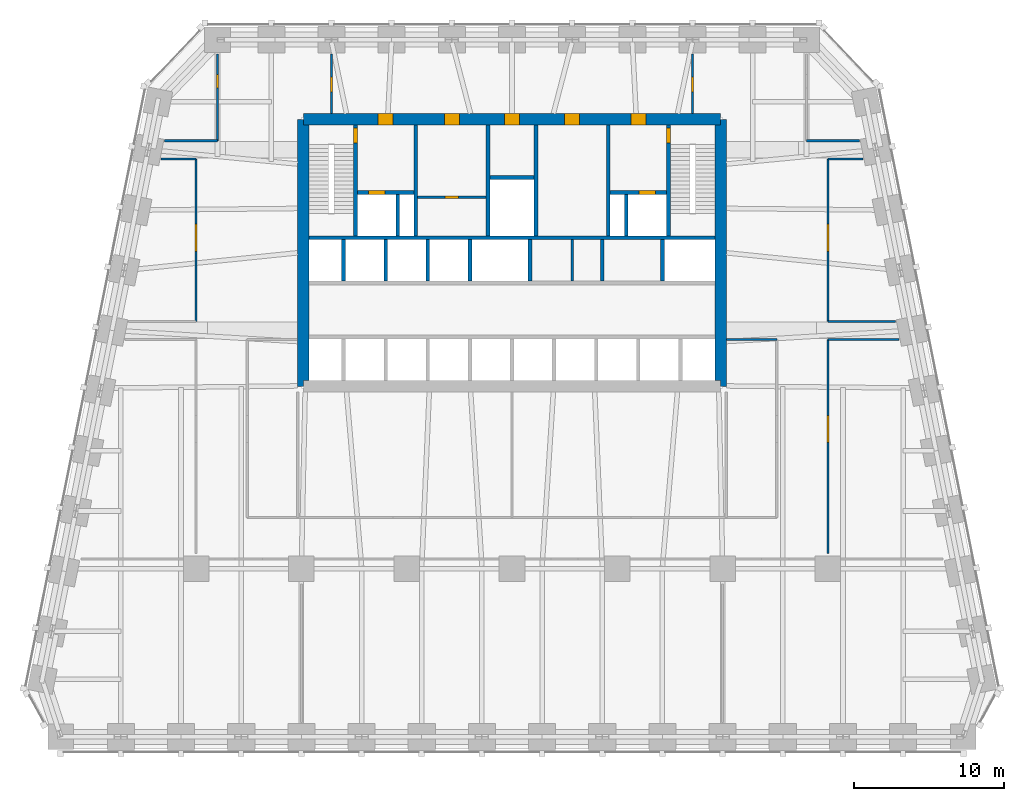
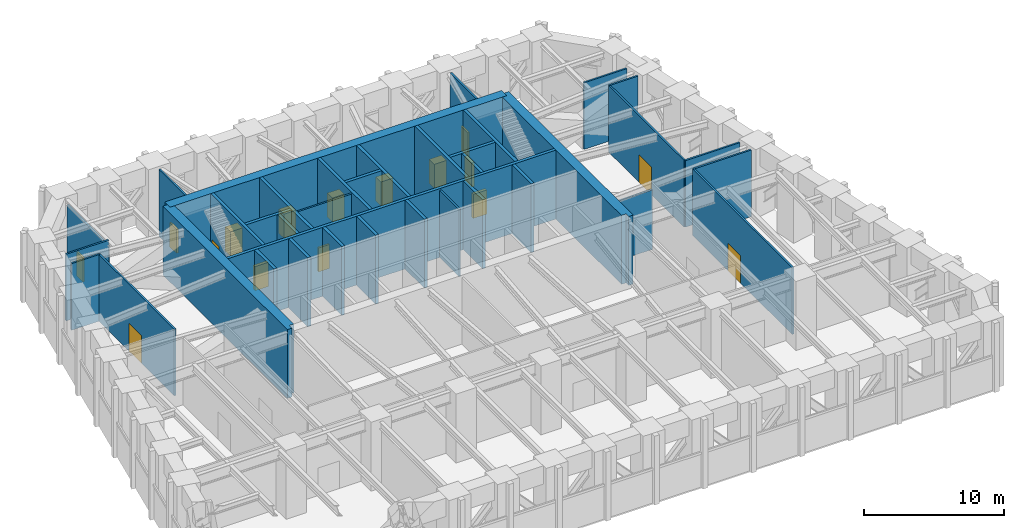
# One storey, part 7 of 9: 37 walls, 16 doors, 16 openings.
"""IFC4 building model written with IfcOpenShell, lengths in metres."""

from ifc_helpers import new_model, si_unit, direction, frame, frame_2d, origin, place, context, subcontext, project, spatial, polyline, rectangle, outline, extrude, material, layer, layer_set, type_object, element, fill, save


model = new_model("IFC4")

# Units and contexts
model_context = context("Model", 3, precision=1e-05, world=origin(), true_north=direction((0.0, 1.0)))
body_context = subcontext(model_context, "Body", "Model", "MODEL_VIEW")
ifc_project = project(units=[si_unit("LENGTHUNIT", "METRE"), si_unit("AREAUNIT", "SQUARE_METRE"), si_unit("VOLUMEUNIT", "CUBIC_METRE"), si_unit("PLANEANGLEUNIT", "RADIAN"), si_unit("MASSUNIT", "GRAM", prefix="KILO")], contexts=[model_context])

# Site, building, storey
site_placement = place(None, origin())
site = spatial("IfcSite", under=ifc_project, at=site_placement, CompositionType="ELEMENT")
building_placement = place(site_placement, origin())
building = spatial("IfcBuilding", under=site, at=building_placement, Name="Isbrekke Arena Tower", CompositionType="ELEMENT")
storey_placement = place(building_placement, frame((0.0, 0.0, 167.0)))
storey = spatial("IfcBuildingStorey", under=building, at=storey_placement, Name="L38", CompositionType="ELEMENT", Elevation=167.0)

# Wall
ifc_material_1 = material(Name="Concrete B55 (C55/67)", Category="concrete")
ifc_layer_1 = layer(ifc_material_1, 0.75)
ifc_layer_set_1 = layer_set([ifc_layer_1], Name="CW3 CORE WALL 750")
wall_type_1 = type_object("IfcWallType", Name="CW3 CORE WALL 750", PredefinedType="SHEAR", material=ifc_layer_set_1)
wall_1_placement = place(storey_placement, frame((13.875, 6.125, 0.0), z_axis=(0.0, 0.0, 1.0), x_axis=(0.0, 1.0, 0.0)))
element("IfcWall", 1, at=wall_1_placement, inside=storey, type_object=wall_type_1, Name="Core wall E L38", PredefinedType="SHEAR", context=body_context, shape_type="SweptSolid", body=[
    extrude(outline(polyline([(0.0, -0.375), (17.75, -0.375), (17.75, 0.0), (17.375, 0.0), (17.375, 0.375), (0.375, 0.375), (0.375, 0.0), (0.0, 0.0), (0.0, -0.375)])), origin(), (0.0, 0.0, 1.0), 6.0),
])

# Wall, openings, doors
wall_2_placement = place(storey_placement, frame((13.875, 23.875, 0.0), z_axis=(0.0, 0.0, 1.0), x_axis=(-1.0, 0.0, 0.0)))
wall_2 = element("IfcWall", 2, at=wall_2_placement, inside=storey, type_object=wall_type_1, Name="Core wall N L38", PredefinedType="SHEAR", context=body_context, shape_type="SweptSolid", body=[
    extrude(rectangle(XDim=27.75, YDim=0.75, at=frame_2d((13.875, 0.0))), origin(), (0.0, 0.0, 1.0), 6.0),
])
opening_1_placement = place(wall_2_placement, frame((21.77490234375, 0.0, 0.0)))
opening_1 = element("IfcOpeningElement", 3, at=opening_1_placement, cuts=wall_2, Name="Opening D3", PredefinedType="OPENING", context=body_context, shape_type="SweptSolid", body=[
    extrude(rectangle(XDim=1.0, YDim=2.10009765625, at=frame_2d((0.5, 1.050048828125))), frame((0.0, 0.389892578125, 0.0), z_axis=(0.0, -1.0, 0.0), x_axis=(1.0, 0.0, 0.0)), (0.0, 0.0, 1.0), 0.77978515625),
])
opening_2_placement = place(wall_2_placement, frame((4.97509765625, 0.0, 0.0)))
opening_2 = element("IfcOpeningElement", 4, at=opening_2_placement, cuts=wall_2, Name="Opening D3", PredefinedType="OPENING", context=body_context, shape_type="SweptSolid", body=[
    extrude(rectangle(XDim=1.0, YDim=2.10009765625, at=frame_2d((0.5, 1.050048828125))), frame((0.0, 0.389892578125, 0.0), z_axis=(0.0, -1.0, 0.0), x_axis=(1.0, 0.0, 0.0)), (0.0, 0.0, 1.0), 0.77978515625),
])
opening_3_placement = place(wall_2_placement, frame((17.375, 0.0, 0.0)))
opening_3 = element("IfcOpeningElement", 5, at=opening_3_placement, cuts=wall_2, Name="Opening D4", PredefinedType="OPENING", context=body_context, shape_type="SweptSolid", body=[
    extrude(rectangle(XDim=1.0, YDim=2.10009765625, at=frame_2d((0.5, 1.050048828125))), frame((0.0, 0.389892578125, 0.0), z_axis=(0.0, -1.0, 0.0), x_axis=(1.0, 0.0, 0.0)), (0.0, 0.0, 1.0), 0.77978515625),
])
opening_4_placement = place(wall_2_placement, frame((13.375, 0.0, 0.0)))
opening_4 = element("IfcOpeningElement", 6, at=opening_4_placement, cuts=wall_2, Name="Opening D4", PredefinedType="OPENING", context=body_context, shape_type="SweptSolid", body=[
    extrude(rectangle(XDim=1.0, YDim=2.10009765625, at=frame_2d((0.5, 1.050048828125))), frame((0.0, 0.389892578125, 0.0), z_axis=(0.0, -1.0, 0.0), x_axis=(1.0, 0.0, 0.0)), (0.0, 0.0, 1.0), 0.77978515625),
])
opening_5_placement = place(wall_2_placement, frame((9.375, 0.0, 0.0)))
opening_5 = element("IfcOpeningElement", 7, at=opening_5_placement, cuts=wall_2, Name="Opening D4", PredefinedType="OPENING", context=body_context, shape_type="SweptSolid", body=[
    extrude(rectangle(XDim=1.0, YDim=2.10009765625, at=frame_2d((0.5, 1.050048828125))), frame((0.0, 0.389892578125, 0.0), z_axis=(0.0, -1.0, 0.0), x_axis=(1.0, 0.0, 0.0)), (0.0, 0.0, 1.0), 0.77978515625),
])
ifc_material_2 = material(Name="Steel fire door", Category="steel")
door_type_1 = type_object("IfcDoorType", Name="D3 FIRE LOBBY DOOR 1000 x 2100", OperationType="SINGLE_SWING_RIGHT", PredefinedType="DOOR", material=ifc_material_2)
door_1_placement = place(opening_1_placement, origin())
door_1 = element("IfcDoor", 8, at=door_1_placement, inside=storey, type_object=door_type_1, Name="D3 fire-fighting lobby door L38", OperationType="SINGLE_SWING_RIGHT", OverallHeight=2.10009765625, OverallWidth=1.0, PredefinedType="DOOR", context=body_context, shape_type="SweptSolid", body=[
    extrude(rectangle(XDim=1.0, YDim=2.10009765625, at=frame_2d((0.5, 1.050048828125))), frame((0.0, 0.374755859375, 0.0), z_axis=(0.0, -1.0, 0.0), x_axis=(1.0, 0.0, 0.0)), (0.0, 0.0, 1.0), 0.74951171875),
])
fill(opening_1, door_1)
door_2_placement = place(opening_2_placement, origin())
door_2 = element("IfcDoor", 9, at=door_2_placement, inside=storey, type_object=door_type_1, Name="D3 fire-fighting lobby door L38", OperationType="SINGLE_SWING_RIGHT", OverallHeight=2.10009765625, OverallWidth=1.0, PredefinedType="DOOR", context=body_context, shape_type="SweptSolid", body=[
    extrude(rectangle(XDim=1.0, YDim=2.10009765625, at=frame_2d((0.5, 1.050048828125))), frame((0.0, 0.374755859375, 0.0), z_axis=(0.0, -1.0, 0.0), x_axis=(1.0, 0.0, 0.0)), (0.0, 0.0, 1.0), 0.74951171875),
])
fill(opening_2, door_2)
ifc_material_3 = material(Name="Timber door", Category="wood")
door_type_2 = type_object("IfcDoorType", Name="D4 WC DOOR 1000 x 2100", OperationType="SINGLE_SWING_LEFT", PredefinedType="DOOR", material=ifc_material_3)
door_3_placement = place(opening_3_placement, origin())
door_3 = element("IfcDoor", 10, at=door_3_placement, inside=storey, type_object=door_type_2, Name="D4 wc female door L38", OperationType="SINGLE_SWING_LEFT", OverallHeight=2.10009765625, OverallWidth=1.0, PredefinedType="DOOR", context=body_context, shape_type="SweptSolid", body=[
    extrude(rectangle(XDim=1.0, YDim=2.10009765625, at=frame_2d((0.5, 1.050048828125))), frame((0.0, 0.374755859375, 0.0), z_axis=(0.0, -1.0, 0.0), x_axis=(1.0, 0.0, 0.0)), (0.0, 0.0, 1.0), 0.74951171875),
])
fill(opening_3, door_3)
door_4_placement = place(opening_4_placement, origin())
door_4 = element("IfcDoor", 11, at=door_4_placement, inside=storey, type_object=door_type_2, Name="D4 accessible wc door L38", OperationType="SINGLE_SWING_LEFT", OverallHeight=2.10009765625, OverallWidth=1.0, PredefinedType="DOOR", context=body_context, shape_type="SweptSolid", body=[
    extrude(rectangle(XDim=1.0, YDim=2.10009765625, at=frame_2d((0.5, 1.050048828125))), frame((0.0, 0.374755859375, 0.0), z_axis=(0.0, -1.0, 0.0), x_axis=(1.0, 0.0, 0.0)), (0.0, 0.0, 1.0), 0.74951171875),
])
fill(opening_4, door_4)
door_5_placement = place(opening_5_placement, origin())
door_5 = element("IfcDoor", 12, at=door_5_placement, inside=storey, type_object=door_type_2, Name="D4 wc male door L38", OperationType="SINGLE_SWING_LEFT", OverallHeight=2.10009765625, OverallWidth=1.0, PredefinedType="DOOR", context=body_context, shape_type="SweptSolid", body=[
    extrude(rectangle(XDim=1.0, YDim=2.10009765625, at=frame_2d((0.5, 1.050048828125))), frame((0.0, 0.374755859375, 0.0), z_axis=(0.0, -1.0, 0.0), x_axis=(1.0, 0.0, 0.0)), (0.0, 0.0, 1.0), 0.74951171875),
])
fill(opening_5, door_5)

# Walls
wall_3_placement = place(storey_placement, frame((-13.875, 23.875, 0.0), z_axis=(0.0, 0.0, 1.0), x_axis=(0.0, -1.0, 0.0)))
element("IfcWall", 13, at=wall_3_placement, inside=storey, type_object=wall_type_1, Name="Core wall W L38", PredefinedType="SHEAR", context=body_context, shape_type="SweptSolid", body=[
    extrude(outline(polyline([(0.0, -0.375), (17.75, -0.375), (17.75, 0.0), (17.375, 0.0), (17.375, 0.375), (0.375, 0.375), (0.375, 0.0), (0.0, 0.0), (0.0, -0.375)])), origin(), (0.0, 0.0, 1.0), 6.0),
])
ifc_material_4 = material(Name="Concrete B45 (C45/55)", Category="concrete")
ifc_layer_2 = layer(ifc_material_4, 0.25)
ifc_layer_set_2 = layer_set([ifc_layer_2], Name="CW6 SHAFT WALL 250")
wall_type_2 = type_object("IfcWallType", Name="CW6 SHAFT WALL 250", PredefinedType="SHEAR", material=ifc_layer_set_2)
wall_4_placement = place(storey_placement, frame((-13.5, 16.0, 0.0), z_axis=(0.0, 0.0, 1.0), x_axis=(1.0, 0.0, 0.0)))
element("IfcWall", 14, at=wall_4_placement, inside=storey, type_object=wall_type_2, Name="Core wall NB L38", PredefinedType="SHEAR", context=body_context, shape_type="SweptSolid", body=[
    extrude(rectangle(XDim=27.0, YDim=0.25, at=frame_2d((13.5, 0.0))), origin(), (0.0, 0.0, 1.0), 6.0),
])
for number, where, z_axis, x_axis, name in (
    (15, (-11.199951171875, 13.125, 0.0), (0.0, 0.0, 1.0), (0.0, 1.0, 0.0), "Core wall SN01 L38"),
    (16, (-8.39990234375, 13.125, 0.0), (0.0, 0.0, 1.0), (0.0, 1.0, 0.0), "Core wall SN02 L38"),
    (17, (-5.60009765625, 13.125, 0.0), (0.0, 0.0, 1.0), (0.0, 1.0, 0.0), "Core wall SN03 L38"),
    (18, (-2.800048828125, 13.125, 0.0), (0.0, 0.0, 1.0), (0.0, 1.0, 0.0), "Core wall SN04 L38"),
    (19, (1.199951171875, 13.125, 0.0), (0.0, 0.0, 1.0), (0.0, 1.0, 0.0), "Core wall SN05 L38"),
    (20, (6.0, 13.125, 0.0), (0.0, 0.0, 1.0), (0.0, 1.0, 0.0), "Core wall SN06 L38"),
    (21, (10.0, 13.125, 0.0), (0.0, 0.0, 1.0), (0.0, 1.0, 0.0), "Core wall SN07 L38"),
):
    element("IfcWall", number, at=place(storey_placement, frame(where, z_axis=z_axis, x_axis=x_axis)), inside=storey, type_object=wall_type_2, Name=name, PredefinedType="SHEAR", context=body_context, shape_type="SweptSolid", body=[
        extrude(rectangle(XDim=2.75, YDim=0.25, at=frame_2d((1.375, 0.0))), origin(), (0.0, 0.0, 1.0), 6.0),
    ])

# Wall, opening, door
wall_5_placement = place(storey_placement, frame((-10.39990234375, 16.125, 0.0), z_axis=(0.0, 0.0, 1.0), x_axis=(0.0, 1.0, 0.0)))
wall_5 = element("IfcWall", 22, at=wall_5_placement, inside=storey, type_object=wall_type_2, Name="Core wall NV01 L38", PredefinedType="SHEAR", context=body_context, shape_type="SweptSolid", body=[
    extrude(rectangle(XDim=7.375, YDim=0.25, at=frame_2d((3.6875, 0.0))), origin(), (0.0, 0.0, 1.0), 6.0),
])
opening_6_placement = place(wall_5_placement, frame((6.175048828125, 0.0, 0.0)))
opening_6 = element("IfcOpeningElement", 23, at=opening_6_placement, cuts=wall_5, Name="Opening D2", PredefinedType="OPENING", context=body_context, shape_type="SweptSolid", body=[
    extrude(rectangle(XDim=1.0, YDim=2.10009765625, at=frame_2d((0.5, 1.050048828125))), frame((0.0, 0.139892578125, 0.0), z_axis=(0.0, -1.0, 0.0), x_axis=(1.0, 0.0, 0.0)), (0.0, 0.0, 1.0), 0.27978515625),
])
ifc_material_5 = material(Name="Steel fire door", Category="steel")
door_type_3 = type_object("IfcDoorType", Name="D2 STAIR DOOR 1000 x 2100", OperationType="SINGLE_SWING_LEFT", PredefinedType="DOOR", material=ifc_material_5)
door_6_placement = place(opening_6_placement, origin())
door_6 = element("IfcDoor", 24, at=door_6_placement, inside=storey, type_object=door_type_3, Name="D2 stair door ST1 L38", OperationType="SINGLE_SWING_LEFT", OverallHeight=2.10009765625, OverallWidth=1.0, PredefinedType="DOOR", context=body_context, shape_type="SweptSolid", body=[
    extrude(rectangle(XDim=1.0, YDim=2.10009765625, at=frame_2d((0.5, 1.050048828125))), frame((0.0, 0.124755859375, 0.0), z_axis=(0.0, -1.0, 0.0), x_axis=(1.0, 0.0, 0.0)), (0.0, 0.0, 1.0), 0.24951171875),
])
fill(opening_6, door_6)

# Walls
for number, where, z_axis, x_axis, name in (
    (25, (-6.39990234375, 16.125, 0.0), (0.0, 0.0, 1.0), (0.0, 1.0, 0.0), "Core wall NV02 L38"),
    (26, (-1.60009765625, 16.125, 0.0), (0.0, 0.0, 1.0), (0.0, 1.0, 0.0), "Core wall NV03 L38"),
    (27, (1.60009765625, 16.125, 0.0), (0.0, 0.0, 1.0), (0.0, 1.0, 0.0), "Core wall NV04 L38"),
    (28, (6.39990234375, 16.125, 0.0), (0.0, 0.0, 1.0), (0.0, 1.0, 0.0), "Core wall NV05 L38"),
):
    element("IfcWall", number, at=place(storey_placement, frame(where, z_axis=z_axis, x_axis=x_axis)), inside=storey, type_object=wall_type_2, Name=name, PredefinedType="SHEAR", context=body_context, shape_type="SweptSolid", body=[
        extrude(rectangle(XDim=7.375, YDim=0.25, at=frame_2d((3.6875, 0.0))), origin(), (0.0, 0.0, 1.0), 6.0),
    ])

# Wall, opening, door
wall_6_placement = place(storey_placement, frame((10.39990234375, 16.125, 0.0), z_axis=(0.0, 0.0, 1.0), x_axis=(0.0, 1.0, 0.0)))
wall_6 = element("IfcWall", 29, at=wall_6_placement, inside=storey, type_object=wall_type_2, Name="Core wall NV06 L38", PredefinedType="SHEAR", context=body_context, shape_type="SweptSolid", body=[
    extrude(rectangle(XDim=7.375, YDim=0.25, at=frame_2d((3.6875, 0.0))), origin(), (0.0, 0.0, 1.0), 6.0),
])
opening_7_placement = place(wall_6_placement, frame((6.175048828125, 0.0, 0.0)))
opening_7 = element("IfcOpeningElement", 30, at=opening_7_placement, cuts=wall_6, Name="Opening D2", PredefinedType="OPENING", context=body_context, shape_type="SweptSolid", body=[
    extrude(rectangle(XDim=1.0, YDim=2.10009765625, at=frame_2d((0.5, 1.050048828125))), frame((0.0, 0.139892578125, 0.0), z_axis=(0.0, -1.0, 0.0), x_axis=(1.0, 0.0, 0.0)), (0.0, 0.0, 1.0), 0.27978515625),
])
door_7_placement = place(opening_7_placement, origin())
door_7 = element("IfcDoor", 31, at=door_7_placement, inside=storey, type_object=door_type_3, Name="D2 stair door ST2 L38", OperationType="SINGLE_SWING_LEFT", OverallHeight=2.10009765625, OverallWidth=1.0, PredefinedType="DOOR", context=body_context, shape_type="SweptSolid", body=[
    extrude(rectangle(XDim=1.0, YDim=2.10009765625, at=frame_2d((0.5, 1.050048828125))), frame((0.0, 0.124755859375, 0.0), z_axis=(0.0, -1.0, 0.0), x_axis=(1.0, 0.0, 0.0)), (0.0, 0.0, 1.0), 0.24951171875),
])
fill(opening_7, door_7)

wall_7_placement = place(storey_placement, frame((-10.27490234375, 19.0, 0.0), z_axis=(0.0, 0.0, 1.0), x_axis=(1.0, 0.0, 0.0)))
wall_7 = element("IfcWall", 32, at=wall_7_placement, inside=storey, type_object=wall_type_2, Name="Core wall NFW L38", PredefinedType="SHEAR", context=body_context, shape_type="SweptSolid", body=[
    extrude(rectangle(XDim=3.75, YDim=0.25, at=frame_2d((1.875, 0.0))), origin(), (0.0, 0.0, 1.0), 6.0),
])
opening_8_placement = place(wall_7_placement, frame((0.72509765625, 0.0, 0.0)))
opening_8 = element("IfcOpeningElement", 33, at=opening_8_placement, cuts=wall_7, Name="Opening LD2", PredefinedType="OPENING", context=body_context, shape_type="SweptSolid", body=[
    extrude(rectangle(XDim=1.10009765625, YDim=2.10009765625, at=frame_2d((0.550048828125, 1.050048828125))), frame((0.0, 0.139892578125, 0.0), z_axis=(0.0, -1.0, 0.0), x_axis=(1.0, 0.0, 0.0)), (0.0, 0.0, 1.0), 0.27978515625),
])
ifc_material_6 = material(Name="Stainless steel lift landing door", Category="steel")
door_type_4 = type_object("IfcDoorType", Name="LD2 FIRE-FIGHTING LIFT LANDING DOOR 1100 x 2100", OperationType="SLIDING_TO_RIGHT", PredefinedType="DOOR", material=ifc_material_6)
door_8_placement = place(opening_8_placement, origin())
door_8 = element("IfcDoor", 34, at=door_8_placement, inside=storey, type_object=door_type_4, Name="LD2 lift landing door LF L38", OperationType="SLIDING_TO_RIGHT", OverallHeight=2.10009765625, OverallWidth=1.10009765625, PredefinedType="DOOR", context=body_context, shape_type="SweptSolid", body=[
    extrude(rectangle(XDim=1.10009765625, YDim=2.10009765625, at=frame_2d((0.550048828125, 1.050048828125))), frame((0.0, 0.124755859375, 0.0), z_axis=(0.0, -1.0, 0.0), x_axis=(1.0, 0.0, 0.0)), (0.0, 0.0, 1.0), 0.24951171875),
])
fill(opening_8, door_8)

wall_8_placement = place(storey_placement, frame((6.52490234375, 19.0, 0.0), z_axis=(0.0, 0.0, 1.0), x_axis=(1.0, 0.0, 0.0)))
wall_8 = element("IfcWall", 35, at=wall_8_placement, inside=storey, type_object=wall_type_2, Name="Core wall NFE L38", PredefinedType="SHEAR", context=body_context, shape_type="SweptSolid", body=[
    extrude(rectangle(XDim=3.75, YDim=0.25, at=frame_2d((1.875, 0.0))), origin(), (0.0, 0.0, 1.0), 6.0),
])
opening_9_placement = place(wall_8_placement, frame((1.925048828125, 0.0, 0.0)))
opening_9 = element("IfcOpeningElement", 36, at=opening_9_placement, cuts=wall_8, Name="Opening LD2", PredefinedType="OPENING", context=body_context, shape_type="SweptSolid", body=[
    extrude(rectangle(XDim=1.10009765625, YDim=2.10009765625, at=frame_2d((0.550048828125, 1.050048828125))), frame((0.0, 0.139892578125, 0.0), z_axis=(0.0, -1.0, 0.0), x_axis=(1.0, 0.0, 0.0)), (0.0, 0.0, 1.0), 0.27978515625),
])
door_9_placement = place(opening_9_placement, origin())
door_9 = element("IfcDoor", 37, at=door_9_placement, inside=storey, type_object=door_type_4, Name="LD2 lift landing door LF L38", OperationType="SLIDING_TO_RIGHT", OverallHeight=2.10009765625, OverallWidth=1.10009765625, PredefinedType="DOOR", context=body_context, shape_type="SweptSolid", body=[
    extrude(rectangle(XDim=1.10009765625, YDim=2.10009765625, at=frame_2d((0.550048828125, 1.050048828125))), frame((0.0, 0.124755859375, 0.0), z_axis=(0.0, -1.0, 0.0), x_axis=(1.0, 0.0, 0.0)), (0.0, 0.0, 1.0), 0.24951171875),
])
fill(opening_9, door_9)

# Walls
for number, where, z_axis, x_axis, name in (
    (38, (-7.60009765625, 16.125, 0.0), (0.0, 0.0, 1.0), (0.0, 1.0, 0.0), "Core wall NFS1 L38"),
    (39, (7.60009765625, 16.125, 0.0), (0.0, 0.0, 1.0), (0.0, 1.0, 0.0), "Core wall NFS2 L38"),
):
    element("IfcWall", number, at=place(storey_placement, frame(where, z_axis=z_axis, x_axis=x_axis)), inside=storey, type_object=wall_type_2, Name=name, PredefinedType="SHEAR", context=body_context, shape_type="SweptSolid", body=[
        extrude(rectangle(XDim=2.75, YDim=0.25, at=frame_2d((1.375, 0.0))), origin(), (0.0, 0.0, 1.0), 6.0),
    ])
wall_9_placement = place(storey_placement, frame((-1.47509765625, 20.0, 0.0), z_axis=(0.0, 0.0, 1.0), x_axis=(1.0, 0.0, 0.0)))
element("IfcWall", 40, at=wall_9_placement, inside=storey, type_object=wall_type_2, Name="Core wall NWC L38", PredefinedType="SHEAR", context=body_context, shape_type="SweptSolid", body=[
    extrude(rectangle(XDim=2.9501953125, YDim=0.25, at=frame_2d((1.47509765625, 0.0))), origin(), (0.0, 0.0, 1.0), 6.0),
])

# Wall, opening, door
ifc_material_7 = material(Name="Gypsum board fire-rated partition on steel studs, two layers each side", Category="steel")
ifc_layer_3 = layer(ifc_material_7, 0.14990234375)
ifc_layer_set_3 = layer_set([ifc_layer_3], Name="IW5 FIRE-RATED PARTITION 150")
wall_type_3 = type_object("IfcWallType", Name="IW5 FIRE-RATED PARTITION 150", PredefinedType="PARTITIONING", material=ifc_layer_set_3)
wall_10_placement = place(storey_placement, frame((-6.27490234375, 18.699951171875, 0.0), z_axis=(0.0, 0.0, 1.0), x_axis=(1.0, 0.0, 0.0)))
wall_10 = element("IfcWall", 41, at=wall_10_placement, inside=storey, type_object=wall_type_3, Name="IW5 fire-rated partition L38 cleaner's store F", PredefinedType="PARTITIONING", context=body_context, shape_type="SweptSolid", body=[
    extrude(rectangle(XDim=4.5498046875, YDim=0.14990234375, at=frame_2d((2.27490234375, 0.0))), origin(), (0.0, 0.0, 1.0), 5.85009765625),
])
opening_10_placement = place(wall_10_placement, frame((1.824951171875, 0.0, 0.0)))
opening_10 = element("IfcOpeningElement", 42, at=opening_10_placement, cuts=wall_10, Name="Opening D5", PredefinedType="OPENING", context=body_context, shape_type="SweptSolid", body=[
    extrude(rectangle(XDim=0.89990234375, YDim=2.10009765625, at=frame_2d((0.449951171875, 1.050048828125))), frame((0.0, 0.08984375, 0.0), z_axis=(0.0, -1.0, 0.0), x_axis=(1.0, 0.0, 0.0)), (0.0, 0.0, 1.0), 0.1796875),
])
ifc_material_8 = material(Name="Steel fire door", Category="steel")
door_type_5 = type_object("IfcDoorType", Name="D5 SERVICE DOOR 900 x 2100", OperationType="SINGLE_SWING_LEFT", PredefinedType="DOOR", material=ifc_material_8)
door_10_placement = place(opening_10_placement, origin())
door_10 = element("IfcDoor", 43, at=door_10_placement, inside=storey, type_object=door_type_5, Name="D5 cleaner's store door L38", OperationType="SINGLE_SWING_LEFT", OverallHeight=2.10009765625, OverallWidth=0.89990234375, PredefinedType="DOOR", context=body_context, shape_type="SweptSolid", body=[
    extrude(rectangle(XDim=0.89990234375, YDim=2.10009765625, at=frame_2d((0.449951171875, 1.050048828125))), frame((0.0, 0.07470703125, 0.0), z_axis=(0.0, -1.0, 0.0), x_axis=(1.0, 0.0, 0.0)), (0.0, 0.0, 1.0), 0.1494140625),
])
fill(opening_10, door_10)

# Wall
wall_11_placement = place(storey_placement, frame((4.0, 13.125, 0.0), z_axis=(0.0, 0.0, 1.0), x_axis=(0.0, 1.0, 0.0)))
element("IfcWall", 44, at=wall_11_placement, inside=storey, type_object=wall_type_3, Name="IW5 fire-rated partition L38 core service rooms 1", PredefinedType="PARTITIONING", context=body_context, shape_type="SweptSolid", body=[
    extrude(rectangle(XDim=2.75, YDim=0.14990234375, at=frame_2d((1.375, 0.0))), origin(), (0.0, 0.0, 1.0), 5.85009765625),
])

# Wall, opening, door
wall_12_placement = place(storey_placement, frame((21.0, -5.0, 0.0), z_axis=(0.0, 0.0, 1.0), x_axis=(0.0, 1.0, 0.0)))
wall_12 = element("IfcWall", 45, at=wall_12_placement, inside=storey, type_object=wall_type_3, Name="IW5 fire-rated partition L38 plant WEB", PredefinedType="PARTITIONING", context=body_context, shape_type="SweptSolid", body=[
    extrude(rectangle(XDim=14.239990234375, YDim=0.14990234375, at=frame_2d((7.1201171875, 0.0))), origin(), (0.0, 0.0, 1.0), 5.800048828125),
])
opening_11_placement = place(wall_12_placement, frame((7.39990234375, 0.0, 0.0)))
opening_11 = element("IfcOpeningElement", 46, at=opening_11_placement, cuts=wall_12, Name="Opening D8", PredefinedType="OPENING", context=body_context, shape_type="SweptSolid", body=[
    extrude(rectangle(XDim=1.800048828125, YDim=2.39990234375, at=frame_2d((0.89990234375, 1.199951171875))), frame((0.0, 0.08984375, 0.0), z_axis=(0.0, -1.0, 0.0), x_axis=(1.0, 0.0, 0.0)), (0.0, 0.0, 1.0), 0.1796875),
])
ifc_material_9 = material(Name="Steel fire door", Category="steel")
door_type_6 = type_object("IfcDoorType", Name="D8 PLANT ROOM DOOR 1800 x 2400", OperationType="DOUBLE_DOOR_SINGLE_SWING", PredefinedType="DOOR", material=ifc_material_9)
door_11_placement = place(opening_11_placement, origin())
door_11 = element("IfcDoor", 47, at=door_11_placement, inside=storey, type_object=door_type_6, Name="D8 chilled water plant room door L38", OperationType="DOUBLE_DOOR_SINGLE_SWING", OverallHeight=2.39990234375, OverallWidth=1.800048828125, PredefinedType="DOOR", context=body_context, shape_type="SweptSolid", body=[
    extrude(rectangle(XDim=1.800048828125, YDim=2.39990234375, at=frame_2d((0.89990234375, 1.199951171875))), frame((0.0, 0.07470703125, 0.0), z_axis=(0.0, -1.0, 0.0), x_axis=(1.0, 0.0, 0.0)), (0.0, 0.0, 1.0), 0.1494140625),
])
fill(opening_11, door_11)

wall_13_placement = place(storey_placement, frame((21.0, 10.43994140625, 0.0), z_axis=(0.0, 0.0, 1.0), x_axis=(0.0, 1.0, 0.0)))
wall_13 = element("IfcWall", 48, at=wall_13_placement, inside=storey, type_object=wall_type_3, Name="IW5 fire-rated partition L38 plant WEC", PredefinedType="PARTITIONING", context=body_context, shape_type="SweptSolid", body=[
    extrude(rectangle(XDim=10.800048828125, YDim=0.14990234375, at=frame_2d((5.39990234375, 0.0))), origin(), (0.0, 0.0, 1.0), 5.800048828125),
])
opening_12_placement = place(wall_13_placement, frame((4.659912109375, 0.0, 0.0)))
opening_12 = element("IfcOpeningElement", 49, at=opening_12_placement, cuts=wall_13, Name="Opening D8", PredefinedType="OPENING", context=body_context, shape_type="SweptSolid", body=[
    extrude(rectangle(XDim=1.800048828125, YDim=2.39990234375, at=frame_2d((0.89990234375, 1.199951171875))), frame((0.0, 0.08984375, 0.0), z_axis=(0.0, -1.0, 0.0), x_axis=(1.0, 0.0, 0.0)), (0.0, 0.0, 1.0), 0.1796875),
])
door_12_placement = place(opening_12_placement, origin())
door_12 = element("IfcDoor", 50, at=door_12_placement, inside=storey, type_object=door_type_6, Name="D8 fresh air plant room door L38", OperationType="DOUBLE_DOOR_SINGLE_SWING", OverallHeight=2.39990234375, OverallWidth=1.800048828125, PredefinedType="DOOR", context=body_context, shape_type="SweptSolid", body=[
    extrude(rectangle(XDim=1.800048828125, YDim=2.39990234375, at=frame_2d((0.89990234375, 1.199951171875))), frame((0.0, 0.07470703125, 0.0), z_axis=(0.0, -1.0, 0.0), x_axis=(1.0, 0.0, 0.0)), (0.0, 0.0, 1.0), 0.1494140625),
])
fill(opening_12, door_12)

# Walls
wall_14_placement = place(storey_placement, frame((14.25, 9.239990234375, 0.0), z_axis=(0.0, 0.0, 1.0), x_axis=(1.0, 0.0, 0.0)))
element("IfcWall", 51, at=wall_14_placement, inside=storey, type_object=wall_type_3, Name="IW5 fire-rated partition L38 plant WEE", PredefinedType="PARTITIONING", context=body_context, shape_type="SweptSolid", body=[
    extrude(rectangle(XDim=3.35009765625, YDim=0.14990234375, at=frame_2d((1.675048828125, 0.0))), origin(), (0.0, 0.0, 1.0), 5.179931640625),
])
wall_15_placement = place(storey_placement, frame((21.0, 9.239990234375, 0.0), z_axis=(0.0, 0.0, 1.0), x_axis=(1.0, 0.0, 0.0)))
element("IfcWall", 52, at=wall_15_placement, inside=storey, type_object=wall_type_3, Name="IW5 fire-rated partition L38 plant WEF", PredefinedType="PARTITIONING", context=body_context, shape_type="SweptSolid", body=[
    extrude(rectangle(XDim=4.73681640625, YDim=0.14990234375, at=frame_2d((2.368408203125, 0.0))), origin(), (0.0, 0.0, 1.0), 5.800048828125),
])
wall_16_placement = place(storey_placement, frame((21.0, 10.43994140625, 0.0), z_axis=(0.0, 0.0, 1.0), x_axis=(1.0, 0.0, 0.0)))
element("IfcWall", 53, at=wall_16_placement, inside=storey, type_object=wall_type_3, Name="IW5 fire-rated partition L38 plant WEG", PredefinedType="PARTITIONING", context=body_context, shape_type="SweptSolid", body=[
    extrude(rectangle(XDim=4.49658203125, YDim=0.14990234375, at=frame_2d((2.248291015625, 0.0))), origin(), (0.0, 0.0, 1.0), 5.800048828125),
])
wall_17_placement = place(storey_placement, frame((21.0, 21.239990234375, 0.0), z_axis=(0.0, 0.0, 1.0), x_axis=(1.0, 0.0, 0.0)))
element("IfcWall", 54, at=wall_17_placement, inside=storey, type_object=wall_type_3, Name="IW5 fire-rated partition L38 plant WEH", PredefinedType="PARTITIONING", context=body_context, shape_type="SweptSolid", body=[
    extrude(rectangle(XDim=2.336669921875, YDim=0.14990234375, at=frame_2d((1.16845703125, 0.0))), origin(), (0.0, 0.0, 1.0), 5.800048828125),
])
wall_18_placement = place(storey_placement, frame((19.570068359375, 22.43994140625, 0.0), z_axis=(0.0, 0.0, 1.0), x_axis=(1.0, 0.0, 0.0)))
element("IfcWall", 55, at=wall_18_placement, inside=storey, type_object=wall_type_3, Name="IW5 fire-rated partition L38 plant WEJ", PredefinedType="PARTITIONING", context=body_context, shape_type="SweptSolid", body=[
    extrude(rectangle(XDim=3.526611328125, YDim=0.14990234375, at=frame_2d((1.76318359375, 0.0))), origin(), (0.0, 0.0, 1.0), 5.800048828125),
])

# Wall, opening, door
wall_19_placement = place(storey_placement, frame((12.0, 24.25, 0.0), z_axis=(0.0, 0.0, 1.0), x_axis=(0.0, 1.0, 0.0)))
wall_19 = element("IfcWall", 56, at=wall_19_placement, inside=storey, type_object=wall_type_3, Name="IW5 fire-rated partition L38 plant WEM", PredefinedType="PARTITIONING", context=body_context, shape_type="SweptSolid", body=[
    extrude(rectangle(XDim=3.969970703125, YDim=0.14990234375, at=frame_2d((1.98486328125, 0.0))), origin(), (0.0, 0.0, 1.0), 5.800048828125),
])
opening_13_placement = place(wall_19_placement, frame((1.449951171875, 0.0, 0.0)))
opening_13 = element("IfcOpeningElement", 57, at=opening_13_placement, cuts=wall_19, Name="Opening D3", PredefinedType="OPENING", context=body_context, shape_type="SweptSolid", body=[
    extrude(rectangle(XDim=1.0, YDim=2.10009765625, at=frame_2d((0.5, 1.050048828125))), frame((0.0, 0.08984375, 0.0), z_axis=(0.0, -1.0, 0.0), x_axis=(1.0, 0.0, 0.0)), (0.0, 0.0, 1.0), 0.1796875),
])
door_13_placement = place(opening_13_placement, origin())
door_13 = element("IfcDoor", 58, at=door_13_placement, inside=storey, type_object=door_type_1, Name="D3 refuge area door L38", OperationType="SINGLE_SWING_RIGHT", OverallHeight=2.10009765625, OverallWidth=1.0, PredefinedType="DOOR", context=body_context, shape_type="SweptSolid", body=[
    extrude(rectangle(XDim=1.0, YDim=2.10009765625, at=frame_2d((0.5, 1.050048828125))), frame((0.0, 0.07470703125, 0.0), z_axis=(0.0, -1.0, 0.0), x_axis=(1.0, 0.0, 0.0)), (0.0, 0.0, 1.0), 0.1494140625),
])
fill(opening_13, door_13)

wall_20_placement = place(storey_placement, frame((-21.0, 10.43994140625, 0.0), z_axis=(0.0, 0.0, 1.0), x_axis=(0.0, 1.0, 0.0)))
wall_20 = element("IfcWall", 59, at=wall_20_placement, inside=storey, type_object=wall_type_3, Name="IW5 fire-rated partition L38 plant WWC", PredefinedType="PARTITIONING", context=body_context, shape_type="SweptSolid", body=[
    extrude(rectangle(XDim=10.800048828125, YDim=0.14990234375, at=frame_2d((5.39990234375, 0.0))), origin(), (0.0, 0.0, 1.0), 5.800048828125),
])
opening_14_placement = place(wall_20_placement, frame((4.659912109375, 0.0, 0.0)))
opening_14 = element("IfcOpeningElement", 60, at=opening_14_placement, cuts=wall_20, Name="Opening D8", PredefinedType="OPENING", context=body_context, shape_type="SweptSolid", body=[
    extrude(rectangle(XDim=1.800048828125, YDim=2.39990234375, at=frame_2d((0.89990234375, 1.199951171875))), frame((0.0, 0.08984375, 0.0), z_axis=(0.0, -1.0, 0.0), x_axis=(1.0, 0.0, 0.0)), (0.0, 0.0, 1.0), 0.1796875),
])
door_14_placement = place(opening_14_placement, origin())
door_14 = element("IfcDoor", 61, at=door_14_placement, inside=storey, type_object=door_type_6, Name="D8 exhaust air plant room door L38", OperationType="DOUBLE_DOOR_SINGLE_SWING", OverallHeight=2.39990234375, OverallWidth=1.800048828125, PredefinedType="DOOR", context=body_context, shape_type="SweptSolid", body=[
    extrude(rectangle(XDim=1.800048828125, YDim=2.39990234375, at=frame_2d((0.89990234375, 1.199951171875))), frame((0.0, 0.07470703125, 0.0), z_axis=(0.0, -1.0, 0.0), x_axis=(1.0, 0.0, 0.0)), (0.0, 0.0, 1.0), 0.1494140625),
])
fill(opening_14, door_14)

# Walls
wall_21_placement = place(storey_placement, frame((-21.0, 21.239990234375, 0.0), z_axis=(0.0, 0.0, 1.0), x_axis=(-1.0, 0.0, 0.0)))
element("IfcWall", 62, at=wall_21_placement, inside=storey, type_object=wall_type_3, Name="IW5 fire-rated partition L38 plant WWH", PredefinedType="PARTITIONING", context=body_context, shape_type="SweptSolid", body=[
    extrude(rectangle(XDim=2.336669921875, YDim=0.14990234375, at=frame_2d((1.16845703125, 0.0))), origin(), (0.0, 0.0, 1.0), 5.800048828125),
])
wall_22_placement = place(storey_placement, frame((-19.570068359375, 22.43994140625, 0.0), z_axis=(0.0, 0.0, 1.0), x_axis=(-1.0, 0.0, 0.0)))
element("IfcWall", 63, at=wall_22_placement, inside=storey, type_object=wall_type_3, Name="IW5 fire-rated partition L38 plant WWJ", PredefinedType="PARTITIONING", context=body_context, shape_type="SweptSolid", body=[
    extrude(rectangle(XDim=3.526611328125, YDim=0.14990234375, at=frame_2d((1.76318359375, 0.0))), origin(), (0.0, 0.0, 1.0), 5.800048828125),
])

# Wall, opening, door
wall_23_placement = place(storey_placement, frame((-19.570068359375, 22.43994140625, 0.0), z_axis=(0.0, 0.0, 1.0), x_axis=(0.0, 1.0, 0.0)))
wall_23 = element("IfcWall", 64, at=wall_23_placement, inside=storey, type_object=wall_type_3, Name="IW5 fire-rated partition L38 plant WWK", PredefinedType="PARTITIONING", context=body_context, shape_type="SweptSolid", body=[
    extrude(rectangle(XDim=5.780029296875, YDim=0.14990234375, at=frame_2d((2.89013671875, 0.0))), origin(), (0.0, 0.0, 1.0), 5.367919921875),
])
opening_15_placement = place(wall_23_placement, frame((3.510009765625, 0.0, 0.0)))
opening_15 = element("IfcOpeningElement", 65, at=opening_15_placement, cuts=wall_23, Name="Opening D5", PredefinedType="OPENING", context=body_context, shape_type="SweptSolid", body=[
    extrude(rectangle(XDim=0.89990234375, YDim=2.10009765625, at=frame_2d((0.449951171875, 1.050048828125))), frame((0.0, 0.08984375, 0.0), z_axis=(0.0, -1.0, 0.0), x_axis=(1.0, 0.0, 0.0)), (0.0, 0.0, 1.0), 0.1796875),
])
door_15_placement = place(opening_15_placement, origin())
door_15 = element("IfcDoor", 66, at=door_15_placement, inside=storey, type_object=door_type_5, Name="D5 telecommunications equipment room door L38", OperationType="SINGLE_SWING_LEFT", OverallHeight=2.10009765625, OverallWidth=0.89990234375, PredefinedType="DOOR", context=body_context, shape_type="SweptSolid", body=[
    extrude(rectangle(XDim=0.89990234375, YDim=2.10009765625, at=frame_2d((0.449951171875, 1.050048828125))), frame((0.0, 0.07470703125, 0.0), z_axis=(0.0, -1.0, 0.0), x_axis=(1.0, 0.0, 0.0)), (0.0, 0.0, 1.0), 0.1494140625),
])
fill(opening_15, door_15)

wall_24_placement = place(storey_placement, frame((-12.0, 24.25, 0.0), z_axis=(0.0, 0.0, 1.0), x_axis=(0.0, 1.0, 0.0)))
wall_24 = element("IfcWall", 67, at=wall_24_placement, inside=storey, type_object=wall_type_3, Name="IW5 fire-rated partition L38 plant WWM", PredefinedType="PARTITIONING", context=body_context, shape_type="SweptSolid", body=[
    extrude(rectangle(XDim=3.969970703125, YDim=0.14990234375, at=frame_2d((1.98486328125, 0.0))), origin(), (0.0, 0.0, 1.0), 5.800048828125),
])
opening_16_placement = place(wall_24_placement, frame((1.449951171875, 0.0, 0.0)))
opening_16 = element("IfcOpeningElement", 68, at=opening_16_placement, cuts=wall_24, Name="Opening D3", PredefinedType="OPENING", context=body_context, shape_type="SweptSolid", body=[
    extrude(rectangle(XDim=1.0, YDim=2.10009765625, at=frame_2d((0.5, 1.050048828125))), frame((0.0, 0.08984375, 0.0), z_axis=(0.0, -1.0, 0.0), x_axis=(1.0, 0.0, 0.0)), (0.0, 0.0, 1.0), 0.1796875),
])
door_16_placement = place(opening_16_placement, origin())
door_16 = element("IfcDoor", 69, at=door_16_placement, inside=storey, type_object=door_type_1, Name="D3 refuge area door L38", OperationType="SINGLE_SWING_RIGHT", OverallHeight=2.10009765625, OverallWidth=1.0, PredefinedType="DOOR", context=body_context, shape_type="SweptSolid", body=[
    extrude(rectangle(XDim=1.0, YDim=2.10009765625, at=frame_2d((0.5, 1.050048828125))), frame((0.0, 0.07470703125, 0.0), z_axis=(0.0, -1.0, 0.0), x_axis=(1.0, 0.0, 0.0)), (0.0, 0.0, 1.0), 0.1494140625),
])
fill(opening_16, door_16)

save(model, "model.ifc")
